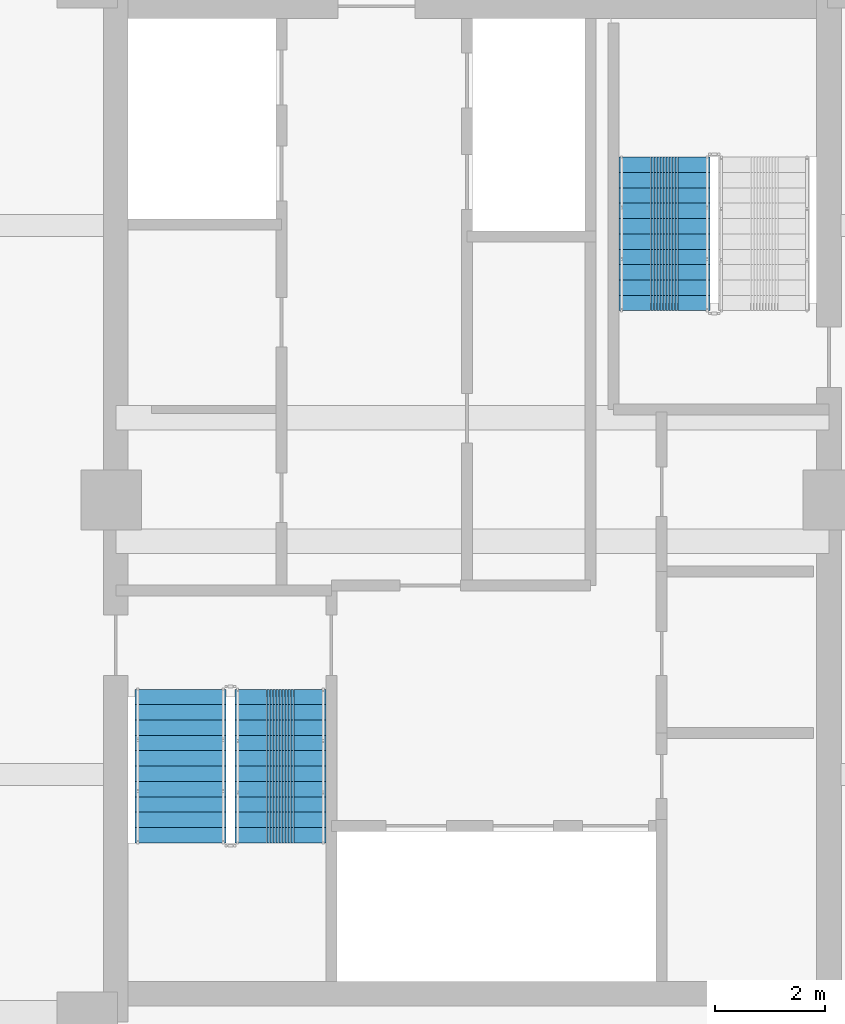
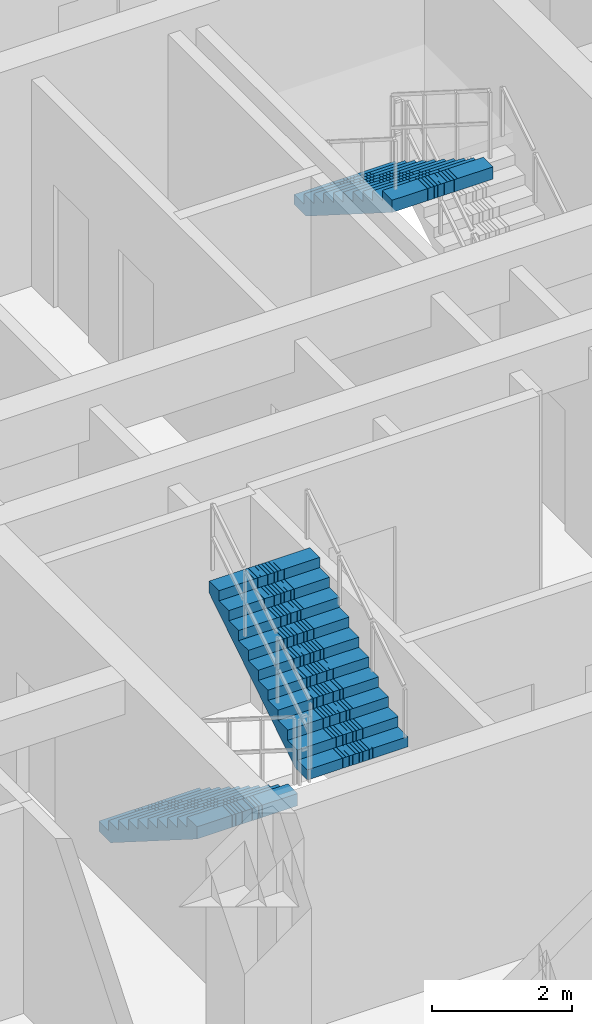
# One storey, part 8 of 14: 3 stair flights, 2 elements without a shape of their own.
"""IFC4 building model written with IfcOpenShell, lengths in metres."""

from ifc_helpers import new_model, si_unit, direction, frame, origin, place, context, subcontext, project, spatial, polyline, outline, extrude, material, type_object, element, aggregate, save


model = new_model("IFC4")

# Units and contexts
model_context = context("Model", 3, precision=1e-05, world=origin(), true_north=direction((0.0, 1.0)))
body_context = subcontext(model_context, "Body", "Model", "MODEL_VIEW")
ifc_project = project(units=[si_unit("LENGTHUNIT", "METRE"), si_unit("AREAUNIT", "SQUARE_METRE"), si_unit("VOLUMEUNIT", "CUBIC_METRE"), si_unit("PLANEANGLEUNIT", "RADIAN"), si_unit("MASSUNIT", "GRAM", prefix="KILO")], contexts=[model_context])

# Site, building, storey
site_placement = place(None, origin())
site = spatial("IfcSite", under=ifc_project, at=site_placement, CompositionType="ELEMENT")
building_placement = place(site_placement, origin())
building = spatial("IfcBuilding", under=site, at=building_placement, Name="Saelheon Loggia Tower", CompositionType="ELEMENT")
storey_placement = place(building_placement, frame((0.0, 0.0, 202.60009765625)))
storey = spatial("IfcBuildingStorey", under=building, at=storey_placement, Name="L63", CompositionType="ELEMENT", Elevation=202.60009765625)

# Stair, stair flights
ifc_material = material(Name="Concrete C40/50", Category="concrete")
stair_type = type_object("IfcStairType", Name="Stair_Escape_Core", PredefinedType="HALF_TURN_STAIR", material=ifc_material)
stair_1_placement = place(storey_placement, origin())
stair_1 = element("IfcStair", 1, at=stair_1_placement, inside=storey, type_object=stair_type, Name="L63 Special Escape Stair ST1", PredefinedType="HALF_TURN_STAIR")
stair_flight_type = type_object("IfcStairFlightType", Name="StairFlight_Tower_1660", PredefinedType="STRAIGHT", material=ifc_material)
stair_flight_1_placement = place(storey_placement, frame((32.679931640625, 23.550048828125, 0.0), z_axis=(0.0, 0.0, 1.0), x_axis=(0.0, -1.0, 0.0)))
stair_flight_1 = element("IfcStairFlight", 2, at=stair_flight_1_placement, type_object=stair_flight_type, Name="ST1 flight 1", NumberOfRisers=11, NumberOfTreads=10, PredefinedType="STRAIGHT", RiserHeight=0.177272727, TreadLength=0.28, context=body_context, shape_type="SweptSolid", body=[
    extrude(outline(polyline([(0.0, 0.0), (0.0, 0.17724609375), (0.280029296875, 0.17724609375), (0.280029296875, 0.3544921875), (0.56005859375, 0.3544921875), (0.56005859375, 0.53173828125), (0.840087890625, 0.53173828125), (0.840087890625, 0.708984375), (1.1201171875, 0.708984375), (1.1201171875, 0.886474609375), (1.39990234375, 0.886474609375), (1.39990234375, 1.063720703125), (1.679931640625, 1.063720703125), (1.679931640625, 1.240966796875), (1.9599609375, 1.240966796875), (1.9599609375, 1.418212890625), (2.239990234375, 1.418212890625), (2.239990234375, 1.595458984375), (2.52001953125, 1.595458984375), (2.52001953125, 1.772705078125), (2.800048828125, 1.772705078125), (2.800048828125, 1.949951171875), (2.800048828125, 1.559814453125), (0.33642578125, 0.0), (0.0, 0.0)])), frame((0.0, -0.2490234375, 0.0), z_axis=(0.0, -1.0, 0.0), x_axis=(1.0, 0.0, 0.0)), (0.0, 0.0, 1.0), 0.5810546875),
    extrude(outline(polyline([(0.0, 0.0), (0.0, 0.17724609375), (0.280029296875, 0.17724609375), (0.280029296875, 0.3544921875), (0.56005859375, 0.3544921875), (0.56005859375, 0.53173828125), (0.840087890625, 0.53173828125), (0.840087890625, 0.708984375), (1.1201171875, 0.708984375), (1.1201171875, 0.886474609375), (1.39990234375, 0.886474609375), (1.39990234375, 1.063720703125), (1.679931640625, 1.063720703125), (1.679931640625, 1.240966796875), (1.9599609375, 1.240966796875), (1.9599609375, 1.418212890625), (2.239990234375, 1.418212890625), (2.239990234375, 1.595458984375), (2.52001953125, 1.595458984375), (2.52001953125, 1.772705078125), (2.800048828125, 1.772705078125), (2.800048828125, 1.949951171875), (2.800048828125, 1.559814453125), (0.33642578125, 0.0), (0.0, 0.0)])), frame((0.0, -0.194091796875, 0.0), z_axis=(0.0, -1.0, 0.0), x_axis=(1.0, 0.0, 0.0)), (0.0, 0.0, 1.0), 0.0498046875),
    extrude(outline(polyline([(0.0, 0.0), (0.0, 0.17724609375), (0.280029296875, 0.17724609375), (0.280029296875, 0.3544921875), (0.56005859375, 0.3544921875), (0.56005859375, 0.53173828125), (0.840087890625, 0.53173828125), (0.840087890625, 0.708984375), (1.1201171875, 0.708984375), (1.1201171875, 0.886474609375), (1.39990234375, 0.886474609375), (1.39990234375, 1.063720703125), (1.679931640625, 1.063720703125), (1.679931640625, 1.240966796875), (1.9599609375, 1.240966796875), (1.9599609375, 1.418212890625), (2.239990234375, 1.418212890625), (2.239990234375, 1.595458984375), (2.52001953125, 1.595458984375), (2.52001953125, 1.772705078125), (2.800048828125, 1.772705078125), (2.800048828125, 1.949951171875), (2.800048828125, 1.559814453125), (0.33642578125, 0.0), (0.0, 0.0)])), frame((0.0, -0.139404296875, 0.0), z_axis=(0.0, -1.0, 0.0), x_axis=(1.0, 0.0, 0.0)), (0.0, 0.0, 1.0), 0.0498046875),
    extrude(outline(polyline([(0.0, 0.0), (0.0, 0.17724609375), (0.280029296875, 0.17724609375), (0.280029296875, 0.3544921875), (0.56005859375, 0.3544921875), (0.56005859375, 0.53173828125), (0.840087890625, 0.53173828125), (0.840087890625, 0.708984375), (1.1201171875, 0.708984375), (1.1201171875, 0.886474609375), (1.39990234375, 0.886474609375), (1.39990234375, 1.063720703125), (1.679931640625, 1.063720703125), (1.679931640625, 1.240966796875), (1.9599609375, 1.240966796875), (1.9599609375, 1.418212890625), (2.239990234375, 1.418212890625), (2.239990234375, 1.595458984375), (2.52001953125, 1.595458984375), (2.52001953125, 1.772705078125), (2.800048828125, 1.772705078125), (2.800048828125, 1.949951171875), (2.800048828125, 1.559814453125), (0.33642578125, 0.0), (0.0, 0.0)])), frame((0.0, -0.084716796875, 0.0), z_axis=(0.0, -1.0, 0.0), x_axis=(1.0, 0.0, 0.0)), (0.0, 0.0, 1.0), 0.0498046875),
    extrude(outline(polyline([(0.0, 0.0), (0.0, 0.17724609375), (0.280029296875, 0.17724609375), (0.280029296875, 0.3544921875), (0.56005859375, 0.3544921875), (0.56005859375, 0.53173828125), (0.840087890625, 0.53173828125), (0.840087890625, 0.708984375), (1.1201171875, 0.708984375), (1.1201171875, 0.886474609375), (1.39990234375, 0.886474609375), (1.39990234375, 1.063720703125), (1.679931640625, 1.063720703125), (1.679931640625, 1.240966796875), (1.9599609375, 1.240966796875), (1.9599609375, 1.418212890625), (2.239990234375, 1.418212890625), (2.239990234375, 1.595458984375), (2.52001953125, 1.595458984375), (2.52001953125, 1.772705078125), (2.800048828125, 1.772705078125), (2.800048828125, 1.949951171875), (2.800048828125, 1.559814453125), (0.33642578125, 0.0), (0.0, 0.0)])), frame((0.0, -0.02978515625, 0.0), z_axis=(0.0, -1.0, 0.0), x_axis=(1.0, 0.0, 0.0)), (0.0, 0.0, 1.0), 0.0498046875),
    extrude(outline(polyline([(0.0, 0.0), (0.0, 0.17724609375), (0.280029296875, 0.17724609375), (0.280029296875, 0.3544921875), (0.56005859375, 0.3544921875), (0.56005859375, 0.53173828125), (0.840087890625, 0.53173828125), (0.840087890625, 0.708984375), (1.1201171875, 0.708984375), (1.1201171875, 0.886474609375), (1.39990234375, 0.886474609375), (1.39990234375, 1.063720703125), (1.679931640625, 1.063720703125), (1.679931640625, 1.240966796875), (1.9599609375, 1.240966796875), (1.9599609375, 1.418212890625), (2.239990234375, 1.418212890625), (2.239990234375, 1.595458984375), (2.52001953125, 1.595458984375), (2.52001953125, 1.772705078125), (2.800048828125, 1.772705078125), (2.800048828125, 1.949951171875), (2.800048828125, 1.559814453125), (0.33642578125, 0.0), (0.0, 0.0)])), frame((0.0, 0.02490234375, 0.0), z_axis=(0.0, -1.0, 0.0), x_axis=(1.0, 0.0, 0.0)), (0.0, 0.0, 1.0), 0.0498046875),
    extrude(outline(polyline([(0.0, 0.0), (0.0, 0.17724609375), (0.280029296875, 0.17724609375), (0.280029296875, 0.3544921875), (0.56005859375, 0.3544921875), (0.56005859375, 0.53173828125), (0.840087890625, 0.53173828125), (0.840087890625, 0.708984375), (1.1201171875, 0.708984375), (1.1201171875, 0.886474609375), (1.39990234375, 0.886474609375), (1.39990234375, 1.063720703125), (1.679931640625, 1.063720703125), (1.679931640625, 1.240966796875), (1.9599609375, 1.240966796875), (1.9599609375, 1.418212890625), (2.239990234375, 1.418212890625), (2.239990234375, 1.595458984375), (2.52001953125, 1.595458984375), (2.52001953125, 1.772705078125), (2.800048828125, 1.772705078125), (2.800048828125, 1.949951171875), (2.800048828125, 1.559814453125), (0.33642578125, 0.0), (0.0, 0.0)])), frame((0.0, 0.07958984375, 0.0), z_axis=(0.0, -1.0, 0.0), x_axis=(1.0, 0.0, 0.0)), (0.0, 0.0, 1.0), 0.0498046875),
    extrude(outline(polyline([(0.0, 0.0), (0.0, 0.17724609375), (0.280029296875, 0.17724609375), (0.280029296875, 0.3544921875), (0.56005859375, 0.3544921875), (0.56005859375, 0.53173828125), (0.840087890625, 0.53173828125), (0.840087890625, 0.708984375), (1.1201171875, 0.708984375), (1.1201171875, 0.886474609375), (1.39990234375, 0.886474609375), (1.39990234375, 1.063720703125), (1.679931640625, 1.063720703125), (1.679931640625, 1.240966796875), (1.9599609375, 1.240966796875), (1.9599609375, 1.418212890625), (2.239990234375, 1.418212890625), (2.239990234375, 1.595458984375), (2.52001953125, 1.595458984375), (2.52001953125, 1.772705078125), (2.800048828125, 1.772705078125), (2.800048828125, 1.949951171875), (2.800048828125, 1.559814453125), (0.33642578125, 0.0), (0.0, 0.0)])), frame((0.0, 0.134521484375, 0.0), z_axis=(0.0, -1.0, 0.0), x_axis=(1.0, 0.0, 0.0)), (0.0, 0.0, 1.0), 0.0498046875),
    extrude(outline(polyline([(0.0, 0.0), (0.0, 0.17724609375), (0.280029296875, 0.17724609375), (0.280029296875, 0.3544921875), (0.56005859375, 0.3544921875), (0.56005859375, 0.53173828125), (0.840087890625, 0.53173828125), (0.840087890625, 0.708984375), (1.1201171875, 0.708984375), (1.1201171875, 0.886474609375), (1.39990234375, 0.886474609375), (1.39990234375, 1.063720703125), (1.679931640625, 1.063720703125), (1.679931640625, 1.240966796875), (1.9599609375, 1.240966796875), (1.9599609375, 1.418212890625), (2.239990234375, 1.418212890625), (2.239990234375, 1.595458984375), (2.52001953125, 1.595458984375), (2.52001953125, 1.772705078125), (2.800048828125, 1.772705078125), (2.800048828125, 1.949951171875), (2.800048828125, 1.559814453125), (0.33642578125, 0.0), (0.0, 0.0)])), frame((0.0, 0.189208984375, 0.0), z_axis=(0.0, -1.0, 0.0), x_axis=(1.0, 0.0, 0.0)), (0.0, 0.0, 1.0), 0.0498046875),
    extrude(outline(polyline([(0.0, 0.0), (0.0, 0.17724609375), (0.280029296875, 0.17724609375), (0.280029296875, 0.3544921875), (0.56005859375, 0.3544921875), (0.56005859375, 0.53173828125), (0.840087890625, 0.53173828125), (0.840087890625, 0.708984375), (1.1201171875, 0.708984375), (1.1201171875, 0.886474609375), (1.39990234375, 0.886474609375), (1.39990234375, 1.063720703125), (1.679931640625, 1.063720703125), (1.679931640625, 1.240966796875), (1.9599609375, 1.240966796875), (1.9599609375, 1.418212890625), (2.239990234375, 1.418212890625), (2.239990234375, 1.595458984375), (2.52001953125, 1.595458984375), (2.52001953125, 1.772705078125), (2.800048828125, 1.772705078125), (2.800048828125, 1.949951171875), (2.800048828125, 1.559814453125), (0.33642578125, 0.0), (0.0, 0.0)])), frame((0.0, 0.243896484375, 0.0), z_axis=(0.0, -1.0, 0.0), x_axis=(1.0, 0.0, 0.0)), (0.0, 0.0, 1.0), 0.0498046875),
    extrude(outline(polyline([(0.0, 0.0), (0.0, 0.17724609375), (0.280029296875, 0.17724609375), (0.280029296875, 0.3544921875), (0.56005859375, 0.3544921875), (0.56005859375, 0.53173828125), (0.840087890625, 0.53173828125), (0.840087890625, 0.708984375), (1.1201171875, 0.708984375), (1.1201171875, 0.886474609375), (1.39990234375, 0.886474609375), (1.39990234375, 1.063720703125), (1.679931640625, 1.063720703125), (1.679931640625, 1.240966796875), (1.9599609375, 1.240966796875), (1.9599609375, 1.418212890625), (2.239990234375, 1.418212890625), (2.239990234375, 1.595458984375), (2.52001953125, 1.595458984375), (2.52001953125, 1.772705078125), (2.800048828125, 1.772705078125), (2.800048828125, 1.949951171875), (2.800048828125, 1.559814453125), (0.33642578125, 0.0), (0.0, 0.0)])), frame((0.0, 0.830078125, 0.0), z_axis=(0.0, -1.0, 0.0), x_axis=(1.0, 0.0, 0.0)), (0.0, 0.0, 1.0), 0.5810546875),
])
stair_flight_2_placement = place(storey_placement, frame((34.5, 20.75, 1.949951171875), z_axis=(0.0, 0.0, 1.0), x_axis=(0.0, 1.0, 0.0)))
stair_flight_2 = element("IfcStairFlight", 3, at=stair_flight_2_placement, type_object=stair_flight_type, Name="ST1 flight 2", NumberOfRisers=11, NumberOfTreads=10, PredefinedType="STRAIGHT", RiserHeight=0.177272727, TreadLength=0.28, context=body_context, shape_type="SweptSolid", body=[
    extrude(outline(polyline([(0.0, 0.0), (0.0, 0.17724609375), (0.280029296875, 0.17724609375), (0.280029296875, 0.3544921875), (0.56005859375, 0.3544921875), (0.56005859375, 0.53173828125), (0.840087890625, 0.53173828125), (0.840087890625, 0.708984375), (1.1201171875, 0.708984375), (1.1201171875, 0.886474609375), (1.39990234375, 0.886474609375), (1.39990234375, 1.063720703125), (1.679931640625, 1.063720703125), (1.679931640625, 1.240966796875), (1.9599609375, 1.240966796875), (1.9599609375, 1.418212890625), (2.239990234375, 1.418212890625), (2.239990234375, 1.595458984375), (2.52001953125, 1.595458984375), (2.52001953125, 1.772705078125), (2.800048828125, 1.772705078125), (2.800048828125, 1.949951171875), (2.800048828125, 1.559814453125), (0.33642578125, 0.0), (0.0, 0.0)])), frame((0.0, -0.2490234375, 0.0), z_axis=(0.0, -1.0, 0.0), x_axis=(1.0, 0.0, 0.0)), (0.0, 0.0, 1.0), 0.5810546875),
    extrude(outline(polyline([(0.0, 0.0), (0.0, 0.17724609375), (0.280029296875, 0.17724609375), (0.280029296875, 0.3544921875), (0.56005859375, 0.3544921875), (0.56005859375, 0.53173828125), (0.840087890625, 0.53173828125), (0.840087890625, 0.708984375), (1.1201171875, 0.708984375), (1.1201171875, 0.886474609375), (1.39990234375, 0.886474609375), (1.39990234375, 1.063720703125), (1.679931640625, 1.063720703125), (1.679931640625, 1.240966796875), (1.9599609375, 1.240966796875), (1.9599609375, 1.418212890625), (2.239990234375, 1.418212890625), (2.239990234375, 1.595458984375), (2.52001953125, 1.595458984375), (2.52001953125, 1.772705078125), (2.800048828125, 1.772705078125), (2.800048828125, 1.949951171875), (2.800048828125, 1.559814453125), (0.33642578125, 0.0), (0.0, 0.0)])), frame((0.0, -0.194091796875, 0.0), z_axis=(0.0, -1.0, 0.0), x_axis=(1.0, 0.0, 0.0)), (0.0, 0.0, 1.0), 0.0498046875),
    extrude(outline(polyline([(0.0, 0.0), (0.0, 0.17724609375), (0.280029296875, 0.17724609375), (0.280029296875, 0.3544921875), (0.56005859375, 0.3544921875), (0.56005859375, 0.53173828125), (0.840087890625, 0.53173828125), (0.840087890625, 0.708984375), (1.1201171875, 0.708984375), (1.1201171875, 0.886474609375), (1.39990234375, 0.886474609375), (1.39990234375, 1.063720703125), (1.679931640625, 1.063720703125), (1.679931640625, 1.240966796875), (1.9599609375, 1.240966796875), (1.9599609375, 1.418212890625), (2.239990234375, 1.418212890625), (2.239990234375, 1.595458984375), (2.52001953125, 1.595458984375), (2.52001953125, 1.772705078125), (2.800048828125, 1.772705078125), (2.800048828125, 1.949951171875), (2.800048828125, 1.559814453125), (0.33642578125, 0.0), (0.0, 0.0)])), frame((0.0, -0.139404296875, 0.0), z_axis=(0.0, -1.0, 0.0), x_axis=(1.0, 0.0, 0.0)), (0.0, 0.0, 1.0), 0.0498046875),
    extrude(outline(polyline([(0.0, 0.0), (0.0, 0.17724609375), (0.280029296875, 0.17724609375), (0.280029296875, 0.3544921875), (0.56005859375, 0.3544921875), (0.56005859375, 0.53173828125), (0.840087890625, 0.53173828125), (0.840087890625, 0.708984375), (1.1201171875, 0.708984375), (1.1201171875, 0.886474609375), (1.39990234375, 0.886474609375), (1.39990234375, 1.063720703125), (1.679931640625, 1.063720703125), (1.679931640625, 1.240966796875), (1.9599609375, 1.240966796875), (1.9599609375, 1.418212890625), (2.239990234375, 1.418212890625), (2.239990234375, 1.595458984375), (2.52001953125, 1.595458984375), (2.52001953125, 1.772705078125), (2.800048828125, 1.772705078125), (2.800048828125, 1.949951171875), (2.800048828125, 1.559814453125), (0.33642578125, 0.0), (0.0, 0.0)])), frame((0.0, -0.084716796875, 0.0), z_axis=(0.0, -1.0, 0.0), x_axis=(1.0, 0.0, 0.0)), (0.0, 0.0, 1.0), 0.0498046875),
    extrude(outline(polyline([(0.0, 0.0), (0.0, 0.17724609375), (0.280029296875, 0.17724609375), (0.280029296875, 0.3544921875), (0.56005859375, 0.3544921875), (0.56005859375, 0.53173828125), (0.840087890625, 0.53173828125), (0.840087890625, 0.708984375), (1.1201171875, 0.708984375), (1.1201171875, 0.886474609375), (1.39990234375, 0.886474609375), (1.39990234375, 1.063720703125), (1.679931640625, 1.063720703125), (1.679931640625, 1.240966796875), (1.9599609375, 1.240966796875), (1.9599609375, 1.418212890625), (2.239990234375, 1.418212890625), (2.239990234375, 1.595458984375), (2.52001953125, 1.595458984375), (2.52001953125, 1.772705078125), (2.800048828125, 1.772705078125), (2.800048828125, 1.949951171875), (2.800048828125, 1.559814453125), (0.33642578125, 0.0), (0.0, 0.0)])), frame((0.0, -0.02978515625, 0.0), z_axis=(0.0, -1.0, 0.0), x_axis=(1.0, 0.0, 0.0)), (0.0, 0.0, 1.0), 0.0498046875),
    extrude(outline(polyline([(0.0, 0.0), (0.0, 0.17724609375), (0.280029296875, 0.17724609375), (0.280029296875, 0.3544921875), (0.56005859375, 0.3544921875), (0.56005859375, 0.53173828125), (0.840087890625, 0.53173828125), (0.840087890625, 0.708984375), (1.1201171875, 0.708984375), (1.1201171875, 0.886474609375), (1.39990234375, 0.886474609375), (1.39990234375, 1.063720703125), (1.679931640625, 1.063720703125), (1.679931640625, 1.240966796875), (1.9599609375, 1.240966796875), (1.9599609375, 1.418212890625), (2.239990234375, 1.418212890625), (2.239990234375, 1.595458984375), (2.52001953125, 1.595458984375), (2.52001953125, 1.772705078125), (2.800048828125, 1.772705078125), (2.800048828125, 1.949951171875), (2.800048828125, 1.559814453125), (0.33642578125, 0.0), (0.0, 0.0)])), frame((0.0, 0.02490234375, 0.0), z_axis=(0.0, -1.0, 0.0), x_axis=(1.0, 0.0, 0.0)), (0.0, 0.0, 1.0), 0.0498046875),
    extrude(outline(polyline([(0.0, 0.0), (0.0, 0.17724609375), (0.280029296875, 0.17724609375), (0.280029296875, 0.3544921875), (0.56005859375, 0.3544921875), (0.56005859375, 0.53173828125), (0.840087890625, 0.53173828125), (0.840087890625, 0.708984375), (1.1201171875, 0.708984375), (1.1201171875, 0.886474609375), (1.39990234375, 0.886474609375), (1.39990234375, 1.063720703125), (1.679931640625, 1.063720703125), (1.679931640625, 1.240966796875), (1.9599609375, 1.240966796875), (1.9599609375, 1.418212890625), (2.239990234375, 1.418212890625), (2.239990234375, 1.595458984375), (2.52001953125, 1.595458984375), (2.52001953125, 1.772705078125), (2.800048828125, 1.772705078125), (2.800048828125, 1.949951171875), (2.800048828125, 1.559814453125), (0.33642578125, 0.0), (0.0, 0.0)])), frame((0.0, 0.07958984375, 0.0), z_axis=(0.0, -1.0, 0.0), x_axis=(1.0, 0.0, 0.0)), (0.0, 0.0, 1.0), 0.0498046875),
    extrude(outline(polyline([(0.0, 0.0), (0.0, 0.17724609375), (0.280029296875, 0.17724609375), (0.280029296875, 0.3544921875), (0.56005859375, 0.3544921875), (0.56005859375, 0.53173828125), (0.840087890625, 0.53173828125), (0.840087890625, 0.708984375), (1.1201171875, 0.708984375), (1.1201171875, 0.886474609375), (1.39990234375, 0.886474609375), (1.39990234375, 1.063720703125), (1.679931640625, 1.063720703125), (1.679931640625, 1.240966796875), (1.9599609375, 1.240966796875), (1.9599609375, 1.418212890625), (2.239990234375, 1.418212890625), (2.239990234375, 1.595458984375), (2.52001953125, 1.595458984375), (2.52001953125, 1.772705078125), (2.800048828125, 1.772705078125), (2.800048828125, 1.949951171875), (2.800048828125, 1.559814453125), (0.33642578125, 0.0), (0.0, 0.0)])), frame((0.0, 0.134521484375, 0.0), z_axis=(0.0, -1.0, 0.0), x_axis=(1.0, 0.0, 0.0)), (0.0, 0.0, 1.0), 0.0498046875),
    extrude(outline(polyline([(0.0, 0.0), (0.0, 0.17724609375), (0.280029296875, 0.17724609375), (0.280029296875, 0.3544921875), (0.56005859375, 0.3544921875), (0.56005859375, 0.53173828125), (0.840087890625, 0.53173828125), (0.840087890625, 0.708984375), (1.1201171875, 0.708984375), (1.1201171875, 0.886474609375), (1.39990234375, 0.886474609375), (1.39990234375, 1.063720703125), (1.679931640625, 1.063720703125), (1.679931640625, 1.240966796875), (1.9599609375, 1.240966796875), (1.9599609375, 1.418212890625), (2.239990234375, 1.418212890625), (2.239990234375, 1.595458984375), (2.52001953125, 1.595458984375), (2.52001953125, 1.772705078125), (2.800048828125, 1.772705078125), (2.800048828125, 1.949951171875), (2.800048828125, 1.559814453125), (0.33642578125, 0.0), (0.0, 0.0)])), frame((0.0, 0.189208984375, 0.0), z_axis=(0.0, -1.0, 0.0), x_axis=(1.0, 0.0, 0.0)), (0.0, 0.0, 1.0), 0.0498046875),
    extrude(outline(polyline([(0.0, 0.0), (0.0, 0.17724609375), (0.280029296875, 0.17724609375), (0.280029296875, 0.3544921875), (0.56005859375, 0.3544921875), (0.56005859375, 0.53173828125), (0.840087890625, 0.53173828125), (0.840087890625, 0.708984375), (1.1201171875, 0.708984375), (1.1201171875, 0.886474609375), (1.39990234375, 0.886474609375), (1.39990234375, 1.063720703125), (1.679931640625, 1.063720703125), (1.679931640625, 1.240966796875), (1.9599609375, 1.240966796875), (1.9599609375, 1.418212890625), (2.239990234375, 1.418212890625), (2.239990234375, 1.595458984375), (2.52001953125, 1.595458984375), (2.52001953125, 1.772705078125), (2.800048828125, 1.772705078125), (2.800048828125, 1.949951171875), (2.800048828125, 1.559814453125), (0.33642578125, 0.0), (0.0, 0.0)])), frame((0.0, 0.243896484375, 0.0), z_axis=(0.0, -1.0, 0.0), x_axis=(1.0, 0.0, 0.0)), (0.0, 0.0, 1.0), 0.0498046875),
    extrude(outline(polyline([(0.0, 0.0), (0.0, 0.17724609375), (0.280029296875, 0.17724609375), (0.280029296875, 0.3544921875), (0.56005859375, 0.3544921875), (0.56005859375, 0.53173828125), (0.840087890625, 0.53173828125), (0.840087890625, 0.708984375), (1.1201171875, 0.708984375), (1.1201171875, 0.886474609375), (1.39990234375, 0.886474609375), (1.39990234375, 1.063720703125), (1.679931640625, 1.063720703125), (1.679931640625, 1.240966796875), (1.9599609375, 1.240966796875), (1.9599609375, 1.418212890625), (2.239990234375, 1.418212890625), (2.239990234375, 1.595458984375), (2.52001953125, 1.595458984375), (2.52001953125, 1.772705078125), (2.800048828125, 1.772705078125), (2.800048828125, 1.949951171875), (2.800048828125, 1.559814453125), (0.33642578125, 0.0), (0.0, 0.0)])), frame((0.0, 0.830078125, 0.0), z_axis=(0.0, -1.0, 0.0), x_axis=(1.0, 0.0, 0.0)), (0.0, 0.0, 1.0), 0.5810546875),
])
aggregate(stair_1, [stair_flight_1, stair_flight_2])

# Stair, stair flight
stair_2_placement = place(storey_placement, origin())
stair_2 = element("IfcStair", 4, at=stair_2_placement, inside=storey, type_object=stair_type, Name="L63 Special Escape Stair ST2", PredefinedType="HALF_TURN_STAIR")
stair_flight_3_placement = place(storey_placement, frame((41.5, 33.25, 1.949951171875), z_axis=(0.0, 0.0, 1.0), x_axis=(0.0, -1.0, 0.0)))
stair_flight_3 = element("IfcStairFlight", 5, at=stair_flight_3_placement, type_object=stair_flight_type, Name="ST2 flight 2", NumberOfRisers=11, NumberOfTreads=10, PredefinedType="STRAIGHT", RiserHeight=0.177272727, TreadLength=0.28, context=body_context, shape_type="SweptSolid", body=[
    extrude(outline(polyline([(0.0, 0.0), (0.0, 0.17724609375), (0.280029296875, 0.17724609375), (0.280029296875, 0.3544921875), (0.56005859375, 0.3544921875), (0.56005859375, 0.53173828125), (0.840087890625, 0.53173828125), (0.840087890625, 0.708984375), (1.1201171875, 0.708984375), (1.1201171875, 0.886474609375), (1.39990234375, 0.886474609375), (1.39990234375, 1.063720703125), (1.679931640625, 1.063720703125), (1.679931640625, 1.240966796875), (1.9599609375, 1.240966796875), (1.9599609375, 1.418212890625), (2.239990234375, 1.418212890625), (2.239990234375, 1.595458984375), (2.52001953125, 1.595458984375), (2.52001953125, 1.772705078125), (2.800048828125, 1.772705078125), (2.800048828125, 1.949951171875), (2.800048828125, 1.559814453125), (0.33642578125, 0.0), (0.0, 0.0)])), frame((0.0, -0.2490234375, 0.0), z_axis=(0.0, -1.0, 0.0), x_axis=(1.0, 0.0, 0.0)), (0.0, 0.0, 1.0), 0.5810546875),
    extrude(outline(polyline([(0.0, 0.0), (0.0, 0.17724609375), (0.280029296875, 0.17724609375), (0.280029296875, 0.3544921875), (0.56005859375, 0.3544921875), (0.56005859375, 0.53173828125), (0.840087890625, 0.53173828125), (0.840087890625, 0.708984375), (1.1201171875, 0.708984375), (1.1201171875, 0.886474609375), (1.39990234375, 0.886474609375), (1.39990234375, 1.063720703125), (1.679931640625, 1.063720703125), (1.679931640625, 1.240966796875), (1.9599609375, 1.240966796875), (1.9599609375, 1.418212890625), (2.239990234375, 1.418212890625), (2.239990234375, 1.595458984375), (2.52001953125, 1.595458984375), (2.52001953125, 1.772705078125), (2.800048828125, 1.772705078125), (2.800048828125, 1.949951171875), (2.800048828125, 1.559814453125), (0.33642578125, 0.0), (0.0, 0.0)])), frame((0.0, -0.194091796875, 0.0), z_axis=(0.0, -1.0, 0.0), x_axis=(1.0, 0.0, 0.0)), (0.0, 0.0, 1.0), 0.0498046875),
    extrude(outline(polyline([(0.0, 0.0), (0.0, 0.17724609375), (0.280029296875, 0.17724609375), (0.280029296875, 0.3544921875), (0.56005859375, 0.3544921875), (0.56005859375, 0.53173828125), (0.840087890625, 0.53173828125), (0.840087890625, 0.708984375), (1.1201171875, 0.708984375), (1.1201171875, 0.886474609375), (1.39990234375, 0.886474609375), (1.39990234375, 1.063720703125), (1.679931640625, 1.063720703125), (1.679931640625, 1.240966796875), (1.9599609375, 1.240966796875), (1.9599609375, 1.418212890625), (2.239990234375, 1.418212890625), (2.239990234375, 1.595458984375), (2.52001953125, 1.595458984375), (2.52001953125, 1.772705078125), (2.800048828125, 1.772705078125), (2.800048828125, 1.949951171875), (2.800048828125, 1.559814453125), (0.33642578125, 0.0), (0.0, 0.0)])), frame((0.0, -0.139404296875, 0.0), z_axis=(0.0, -1.0, 0.0), x_axis=(1.0, 0.0, 0.0)), (0.0, 0.0, 1.0), 0.0498046875),
    extrude(outline(polyline([(0.0, 0.0), (0.0, 0.17724609375), (0.280029296875, 0.17724609375), (0.280029296875, 0.3544921875), (0.56005859375, 0.3544921875), (0.56005859375, 0.53173828125), (0.840087890625, 0.53173828125), (0.840087890625, 0.708984375), (1.1201171875, 0.708984375), (1.1201171875, 0.886474609375), (1.39990234375, 0.886474609375), (1.39990234375, 1.063720703125), (1.679931640625, 1.063720703125), (1.679931640625, 1.240966796875), (1.9599609375, 1.240966796875), (1.9599609375, 1.418212890625), (2.239990234375, 1.418212890625), (2.239990234375, 1.595458984375), (2.52001953125, 1.595458984375), (2.52001953125, 1.772705078125), (2.800048828125, 1.772705078125), (2.800048828125, 1.949951171875), (2.800048828125, 1.559814453125), (0.33642578125, 0.0), (0.0, 0.0)])), frame((0.0, -0.084716796875, 0.0), z_axis=(0.0, -1.0, 0.0), x_axis=(1.0, 0.0, 0.0)), (0.0, 0.0, 1.0), 0.0498046875),
    extrude(outline(polyline([(0.0, 0.0), (0.0, 0.17724609375), (0.280029296875, 0.17724609375), (0.280029296875, 0.3544921875), (0.56005859375, 0.3544921875), (0.56005859375, 0.53173828125), (0.840087890625, 0.53173828125), (0.840087890625, 0.708984375), (1.1201171875, 0.708984375), (1.1201171875, 0.886474609375), (1.39990234375, 0.886474609375), (1.39990234375, 1.063720703125), (1.679931640625, 1.063720703125), (1.679931640625, 1.240966796875), (1.9599609375, 1.240966796875), (1.9599609375, 1.418212890625), (2.239990234375, 1.418212890625), (2.239990234375, 1.595458984375), (2.52001953125, 1.595458984375), (2.52001953125, 1.772705078125), (2.800048828125, 1.772705078125), (2.800048828125, 1.949951171875), (2.800048828125, 1.559814453125), (0.33642578125, 0.0), (0.0, 0.0)])), frame((0.0, -0.02978515625, 0.0), z_axis=(0.0, -1.0, 0.0), x_axis=(1.0, 0.0, 0.0)), (0.0, 0.0, 1.0), 0.0498046875),
    extrude(outline(polyline([(0.0, 0.0), (0.0, 0.17724609375), (0.280029296875, 0.17724609375), (0.280029296875, 0.3544921875), (0.56005859375, 0.3544921875), (0.56005859375, 0.53173828125), (0.840087890625, 0.53173828125), (0.840087890625, 0.708984375), (1.1201171875, 0.708984375), (1.1201171875, 0.886474609375), (1.39990234375, 0.886474609375), (1.39990234375, 1.063720703125), (1.679931640625, 1.063720703125), (1.679931640625, 1.240966796875), (1.9599609375, 1.240966796875), (1.9599609375, 1.418212890625), (2.239990234375, 1.418212890625), (2.239990234375, 1.595458984375), (2.52001953125, 1.595458984375), (2.52001953125, 1.772705078125), (2.800048828125, 1.772705078125), (2.800048828125, 1.949951171875), (2.800048828125, 1.559814453125), (0.33642578125, 0.0), (0.0, 0.0)])), frame((0.0, 0.02490234375, 0.0), z_axis=(0.0, -1.0, 0.0), x_axis=(1.0, 0.0, 0.0)), (0.0, 0.0, 1.0), 0.0498046875),
    extrude(outline(polyline([(0.0, 0.0), (0.0, 0.17724609375), (0.280029296875, 0.17724609375), (0.280029296875, 0.3544921875), (0.56005859375, 0.3544921875), (0.56005859375, 0.53173828125), (0.840087890625, 0.53173828125), (0.840087890625, 0.708984375), (1.1201171875, 0.708984375), (1.1201171875, 0.886474609375), (1.39990234375, 0.886474609375), (1.39990234375, 1.063720703125), (1.679931640625, 1.063720703125), (1.679931640625, 1.240966796875), (1.9599609375, 1.240966796875), (1.9599609375, 1.418212890625), (2.239990234375, 1.418212890625), (2.239990234375, 1.595458984375), (2.52001953125, 1.595458984375), (2.52001953125, 1.772705078125), (2.800048828125, 1.772705078125), (2.800048828125, 1.949951171875), (2.800048828125, 1.559814453125), (0.33642578125, 0.0), (0.0, 0.0)])), frame((0.0, 0.07958984375, 0.0), z_axis=(0.0, -1.0, 0.0), x_axis=(1.0, 0.0, 0.0)), (0.0, 0.0, 1.0), 0.0498046875),
    extrude(outline(polyline([(0.0, 0.0), (0.0, 0.17724609375), (0.280029296875, 0.17724609375), (0.280029296875, 0.3544921875), (0.56005859375, 0.3544921875), (0.56005859375, 0.53173828125), (0.840087890625, 0.53173828125), (0.840087890625, 0.708984375), (1.1201171875, 0.708984375), (1.1201171875, 0.886474609375), (1.39990234375, 0.886474609375), (1.39990234375, 1.063720703125), (1.679931640625, 1.063720703125), (1.679931640625, 1.240966796875), (1.9599609375, 1.240966796875), (1.9599609375, 1.418212890625), (2.239990234375, 1.418212890625), (2.239990234375, 1.595458984375), (2.52001953125, 1.595458984375), (2.52001953125, 1.772705078125), (2.800048828125, 1.772705078125), (2.800048828125, 1.949951171875), (2.800048828125, 1.559814453125), (0.33642578125, 0.0), (0.0, 0.0)])), frame((0.0, 0.134521484375, 0.0), z_axis=(0.0, -1.0, 0.0), x_axis=(1.0, 0.0, 0.0)), (0.0, 0.0, 1.0), 0.0498046875),
    extrude(outline(polyline([(0.0, 0.0), (0.0, 0.17724609375), (0.280029296875, 0.17724609375), (0.280029296875, 0.3544921875), (0.56005859375, 0.3544921875), (0.56005859375, 0.53173828125), (0.840087890625, 0.53173828125), (0.840087890625, 0.708984375), (1.1201171875, 0.708984375), (1.1201171875, 0.886474609375), (1.39990234375, 0.886474609375), (1.39990234375, 1.063720703125), (1.679931640625, 1.063720703125), (1.679931640625, 1.240966796875), (1.9599609375, 1.240966796875), (1.9599609375, 1.418212890625), (2.239990234375, 1.418212890625), (2.239990234375, 1.595458984375), (2.52001953125, 1.595458984375), (2.52001953125, 1.772705078125), (2.800048828125, 1.772705078125), (2.800048828125, 1.949951171875), (2.800048828125, 1.559814453125), (0.33642578125, 0.0), (0.0, 0.0)])), frame((0.0, 0.189208984375, 0.0), z_axis=(0.0, -1.0, 0.0), x_axis=(1.0, 0.0, 0.0)), (0.0, 0.0, 1.0), 0.0498046875),
    extrude(outline(polyline([(0.0, 0.0), (0.0, 0.17724609375), (0.280029296875, 0.17724609375), (0.280029296875, 0.3544921875), (0.56005859375, 0.3544921875), (0.56005859375, 0.53173828125), (0.840087890625, 0.53173828125), (0.840087890625, 0.708984375), (1.1201171875, 0.708984375), (1.1201171875, 0.886474609375), (1.39990234375, 0.886474609375), (1.39990234375, 1.063720703125), (1.679931640625, 1.063720703125), (1.679931640625, 1.240966796875), (1.9599609375, 1.240966796875), (1.9599609375, 1.418212890625), (2.239990234375, 1.418212890625), (2.239990234375, 1.595458984375), (2.52001953125, 1.595458984375), (2.52001953125, 1.772705078125), (2.800048828125, 1.772705078125), (2.800048828125, 1.949951171875), (2.800048828125, 1.559814453125), (0.33642578125, 0.0), (0.0, 0.0)])), frame((0.0, 0.243896484375, 0.0), z_axis=(0.0, -1.0, 0.0), x_axis=(1.0, 0.0, 0.0)), (0.0, 0.0, 1.0), 0.0498046875),
    extrude(outline(polyline([(0.0, 0.0), (0.0, 0.17724609375), (0.280029296875, 0.17724609375), (0.280029296875, 0.3544921875), (0.56005859375, 0.3544921875), (0.56005859375, 0.53173828125), (0.840087890625, 0.53173828125), (0.840087890625, 0.708984375), (1.1201171875, 0.708984375), (1.1201171875, 0.886474609375), (1.39990234375, 0.886474609375), (1.39990234375, 1.063720703125), (1.679931640625, 1.063720703125), (1.679931640625, 1.240966796875), (1.9599609375, 1.240966796875), (1.9599609375, 1.418212890625), (2.239990234375, 1.418212890625), (2.239990234375, 1.595458984375), (2.52001953125, 1.595458984375), (2.52001953125, 1.772705078125), (2.800048828125, 1.772705078125), (2.800048828125, 1.949951171875), (2.800048828125, 1.559814453125), (0.33642578125, 0.0), (0.0, 0.0)])), frame((0.0, 0.830078125, 0.0), z_axis=(0.0, -1.0, 0.0), x_axis=(1.0, 0.0, 0.0)), (0.0, 0.0, 1.0), 0.5810546875),
])
aggregate(stair_2, [stair_flight_3])

save(model, "model.ifc")
